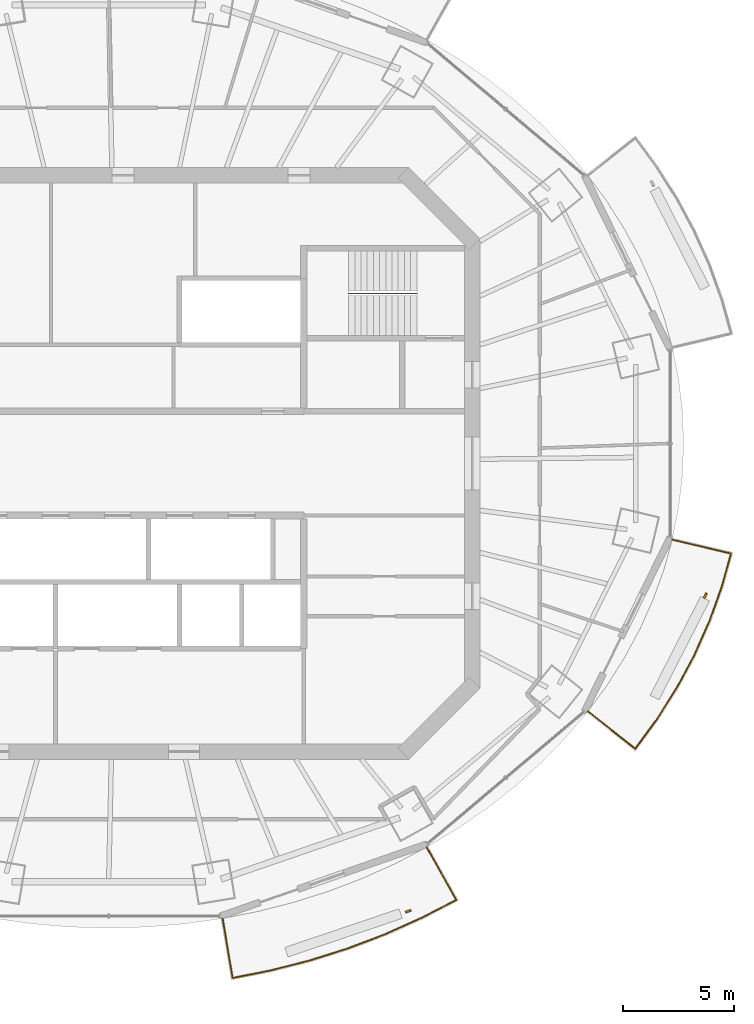
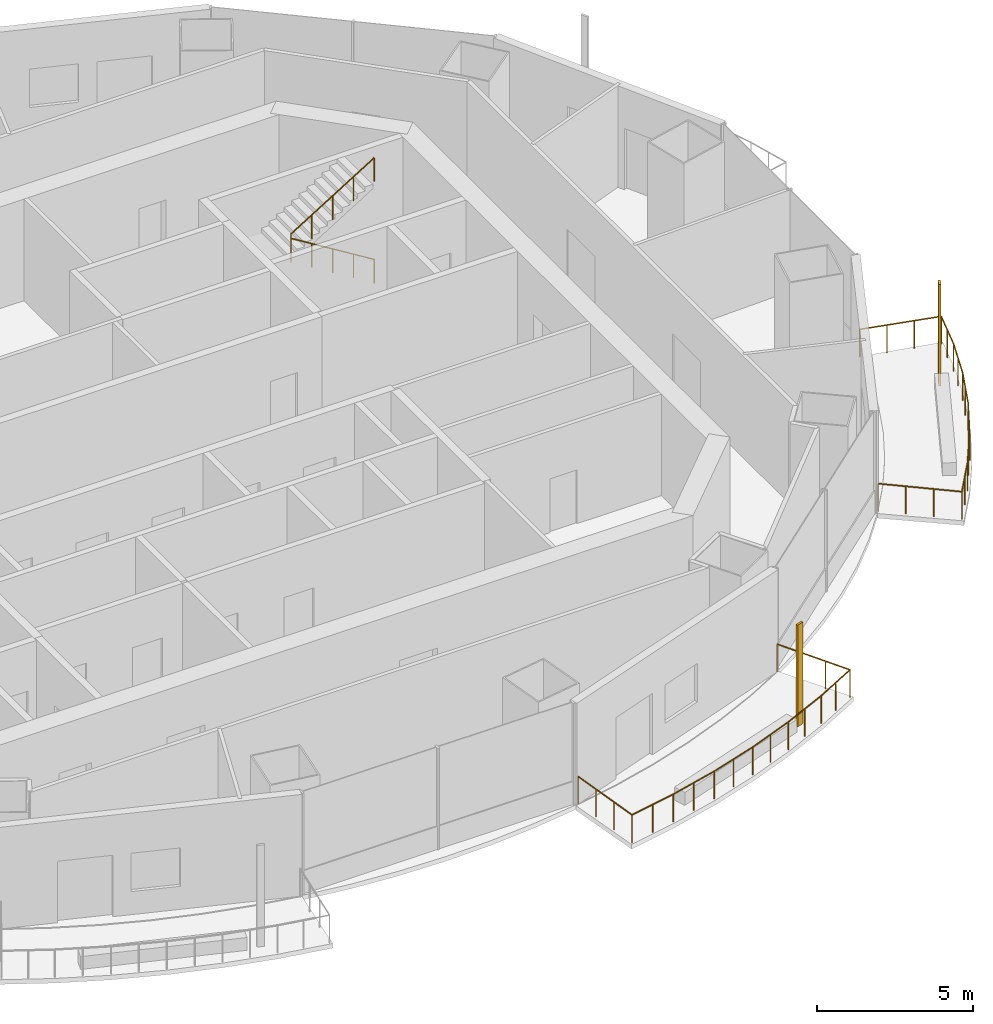
# One storey, part 13 of 16: 3 railings, 2 shading devices.
"""IFC4 building model written with IfcOpenShell, lengths in metres."""

from ifc_helpers import new_model, si_unit, direction, frame, origin, origin_2d, place, context, subcontext, project, spatial, rectangle, circle, extrude, material, material_profile, profile_set, type_object, element, save


model = new_model("IFC4")

# Units and contexts
model_context = context("Model", 3, precision=1e-05, world=origin(), true_north=direction((0.0, 1.0)))
body_context = subcontext(model_context, "Body", "Model", "MODEL_VIEW")
ifc_project = project(units=[si_unit("LENGTHUNIT", "METRE"), si_unit("AREAUNIT", "SQUARE_METRE"), si_unit("VOLUMEUNIT", "CUBIC_METRE"), si_unit("PLANEANGLEUNIT", "RADIAN"), si_unit("MASSUNIT", "GRAM", prefix="KILO")], contexts=[model_context])

# Site, building, storey
site_placement = place(None, origin())
site = spatial("IfcSite", under=ifc_project, at=site_placement, CompositionType="ELEMENT")
building_placement = place(site_placement, origin())
building = spatial("IfcBuilding", under=site, at=building_placement, Name="Marenthal Gate Tower", CompositionType="ELEMENT")
storey_placement = place(building_placement, frame((0.0, 0.0, 375.800048828125)))
storey = spatial("IfcBuildingStorey", under=building, at=storey_placement, Name="L85", CompositionType="ELEMENT", Elevation=375.800048828125)

# Railings
ifc_material_1 = material(Name="Stainless steel", Category="steel")
railing_type_1 = type_object("IfcRailingType", Name="Balcony guard 1100", PredefinedType="GUARDRAIL", material=ifc_material_1)
railing_1_placement = place(storey_placement, frame((13.94287109375, -17.3193359375, 0.0)))
element("IfcRailing", 1, at=railing_1_placement, inside=storey, type_object=railing_type_1, Name="Balcony guard L85 bay 13", PredefinedType="GUARDRAIL", context=body_context, shape_type="SweptSolid", body=[
    extrude(circle(Radius=0.02392578125, at=origin_2d()), frame((0.0, 0.0, 1.076171875), z_axis=(0.491021790399, -0.871022934714, -0.014718986223), x_axis=(0.871117302978, 0.491074988624, 0.0)), (0.0, 0.0, 1.0), 2.72021484375),
    extrude(circle(Radius=0.02392578125, at=origin_2d()), frame((1.335693359375, -2.369384765625, 1.0361328125), z_axis=(-0.886322623965, -0.463068252257, 0.0), x_axis=(0.463068252257, -0.886322623965, 0.0)), (0.0, 0.0, 1.0), 1.7109375),
    extrude(circle(Radius=0.02392578125, at=origin_2d()), frame((-0.1806640625, -3.16162109375, 1.0361328125), z_axis=(-0.911738959801, -0.410770092851, 0.0), x_axis=(0.410770092851, -0.911738959801, 0.0)), (0.0, 0.0, 1.0), 1.802734375),
    extrude(circle(Radius=0.02392578125, at=origin_2d()), frame((-1.82421875, -3.902099609375, 1.0361328125), z_axis=(-0.934175957833, -0.356812667665, 0.0), x_axis=(0.356812667665, -0.934175957833, 0.0)), (0.0, 0.0, 1.0), 1.813232421875),
    extrude(circle(Radius=0.02392578125, at=origin_2d()), frame((-3.51806640625, -4.549072265625, 1.0361328125), z_axis=(-0.953191090515, -0.302368558158, 0.0), x_axis=(0.302368558158, -0.953191090515, 0.0)), (0.0, 0.0, 1.0), 1.822265625),
    extrude(circle(Radius=0.02392578125, at=origin_2d()), frame((-5.255126953125, -5.10009765625, 1.0361328125), z_axis=(-0.968818339515, -0.247772123168, 0.0), x_axis=(0.247772123168, -0.968818339515, 0.0)), (0.0, 0.0, 1.0), 1.830810546875),
    extrude(circle(Radius=0.02392578125, at=origin_2d()), frame((-7.02880859375, -5.5537109375, 1.0361328125), z_axis=(-0.980989908715, -0.194058751412, 0.0), x_axis=(0.194058751412, -0.980989908715, 0.0)), (0.0, 0.0, 1.0), 1.757568359375),
    extrude(circle(Radius=0.02392578125, at=origin_2d()), frame((-8.7529296875, -5.894775390625, 1.0361328125), z_axis=(-0.165414456926, 0.986114290962, 0.01471946334), x_axis=(-0.986221135368, -0.165432379401, 0.0)), (0.0, 0.0, 1.0), 2.72021484375),
    extrude(circle(Radius=0.02099609375, at=origin_2d()), origin(), (0.0, 0.0, 1.0), 1.052001953125),
    extrude(circle(Radius=0.02099609375, at=origin_2d()), frame((0.4453125, -0.789794921875, -0.013427734375)), (0.0, 0.0, 1.0), 1.052001953125),
    extrude(circle(Radius=0.02099609375, at=origin_2d()), frame((0.890380859375, -1.57958984375, -0.026611328125)), (0.0, 0.0, 1.0), 1.052001953125),
    extrude(circle(Radius=0.02099609375, at=origin_2d()), frame((1.335693359375, -2.369384765625, -0.0400390625)), (0.0, 0.0, 1.0), 1.052001953125),
    extrude(circle(Radius=0.02099609375, at=origin_2d()), frame((0.57763671875, -2.765625, -0.0400390625)), (0.0, 0.0, 1.0), 1.052001953125),
    extrude(circle(Radius=0.02099609375, at=origin_2d()), frame((-0.1806640625, -3.16162109375, -0.0400390625)), (0.0, 0.0, 1.0), 1.052001953125),
    extrude(circle(Radius=0.02099609375, at=origin_2d()), frame((-1.00244140625, -3.53173828125, -0.0400390625)), (0.0, 0.0, 1.0), 1.052001953125),
    extrude(circle(Radius=0.02099609375, at=origin_2d()), frame((-1.82421875, -3.902099609375, -0.0400390625)), (0.0, 0.0, 1.0), 1.052001953125),
    extrude(circle(Radius=0.02099609375, at=origin_2d()), frame((-2.671142578125, -4.2255859375, -0.0400390625)), (0.0, 0.0, 1.0), 1.052001953125),
    extrude(circle(Radius=0.02099609375, at=origin_2d()), frame((-3.51806640625, -4.549072265625, -0.0400390625)), (0.0, 0.0, 1.0), 1.052001953125),
    extrude(circle(Radius=0.02099609375, at=origin_2d()), frame((-4.38671875, -4.82470703125, -0.0400390625)), (0.0, 0.0, 1.0), 1.052001953125),
    extrude(circle(Radius=0.02099609375, at=origin_2d()), frame((-5.255126953125, -5.10009765625, -0.0400390625)), (0.0, 0.0, 1.0), 1.052001953125),
    extrude(circle(Radius=0.02099609375, at=origin_2d()), frame((-6.14208984375, -5.326904296875, -0.0400390625)), (0.0, 0.0, 1.0), 1.052001953125),
    extrude(circle(Radius=0.02099609375, at=origin_2d()), frame((-7.02880859375, -5.5537109375, -0.0400390625)), (0.0, 0.0, 1.0), 1.052001953125),
    extrude(circle(Radius=0.02099609375, at=origin_2d()), frame((-7.890869140625, -5.72412109375, -0.0400390625)), (0.0, 0.0, 1.0), 1.052001953125),
    extrude(circle(Radius=0.02099609375, at=origin_2d()), frame((-8.7529296875, -5.894775390625, -0.0400390625)), (0.0, 0.0, 1.0), 1.052001953125),
    extrude(circle(Radius=0.02099609375, at=origin_2d()), frame((-8.90283203125, -5.000732421875, -0.026611328125)), (0.0, 0.0, 1.0), 1.052001953125),
    extrude(circle(Radius=0.02099609375, at=origin_2d()), frame((-9.052978515625, -4.1064453125, -0.013427734375)), (0.0, 0.0, 1.0), 1.052001953125),
    extrude(circle(Radius=0.02099609375, at=origin_2d()), frame((-9.202880859375, -3.21240234375, 0.0)), (0.0, 0.0, 1.0), 1.052001953125),
])
railing_2_placement = place(storey_placement, frame((25.025146484375, -3.443359375, 0.0)))
element("IfcRailing", 2, at=railing_2_placement, inside=storey, type_object=railing_type_1, Name="Balcony guard L85 bay 15", PredefinedType="GUARDRAIL", context=body_context, shape_type="SweptSolid", body=[
    extrude(circle(Radius=0.02392578125, at=origin_2d()), frame((0.0, 0.0, 1.076171875), z_axis=(0.973202156383, -0.229479704341, -0.014718291557), x_axis=(0.229504564257, 0.973307584983, 0.0)), (0.0, 0.0, 1.0), 2.720458984375),
    extrude(circle(Radius=0.02392578125, at=origin_2d()), frame((2.6474609375, -0.624267578125, 1.0361328125), z_axis=(-0.268460599739, -0.963290665577, 0.0), x_axis=(0.963290665577, -0.268460599739, 0.0)), (0.0, 0.0, 1.0), 1.572265625),
    extrude(circle(Radius=0.02392578125, at=origin_2d()), frame((2.225341796875, -2.138916015625, 1.0361328125), z_axis=(-0.338563156163, -0.940943669562, 0.0), x_axis=(0.940943669562, -0.338563156163, 0.0)), (0.0, 0.0, 1.0), 1.6591796875),
    extrude(circle(Radius=0.02392578125, at=origin_2d()), frame((1.66357421875, -3.7001953125, 1.0361328125), z_axis=(-0.407659561492, -0.913133989031, 0.0), x_axis=(0.913133989031, -0.407659561492, 0.0)), (0.0, 0.0, 1.0), 1.667236328125),
    extrude(circle(Radius=0.02392578125, at=origin_2d()), frame((0.98388671875, -5.22265625, 1.0361328125), z_axis=(-0.473457232822, -0.880816807679, 0.0), x_axis=(0.880816807679, -0.473457232822, 0.0)), (0.0, 0.0, 1.0), 1.677001953125),
    extrude(circle(Radius=0.02392578125, at=origin_2d()), frame((0.18994140625, -6.69970703125, 1.0361328125), z_axis=(-0.535461509908, -0.844559631646, 0.0), x_axis=(0.844559631646, -0.535461509908, 0.0)), (0.0, 0.0, 1.0), 1.68798828125),
    extrude(circle(Radius=0.02392578125, at=origin_2d()), frame((-0.7138671875, -8.125244140625, 1.0361328125), z_axis=(-0.592278211016, -0.805733529621, 0.0), x_axis=(0.805733529621, -0.592278211016, 0.0)), (0.0, 0.0, 1.0), 1.61962890625),
    extrude(circle(Radius=0.02392578125, at=origin_2d()), frame((-1.673095703125, -9.43017578125, 1.0361328125), z_axis=(-0.783848051765, 0.620778220066, 0.014718465822), x_axis=(-0.62084547159, -0.783932969332, 0.0)), (0.0, 0.0, 1.0), 2.72021484375),
    extrude(circle(Radius=0.02099609375, at=origin_2d()), origin(), (0.0, 0.0, 1.0), 1.052001953125),
    extrude(circle(Radius=0.02099609375, at=origin_2d()), frame((0.882568359375, -0.2080078125, -0.013427734375)), (0.0, 0.0, 1.0), 1.052001953125),
    extrude(circle(Radius=0.02099609375, at=origin_2d()), frame((1.764892578125, -0.416259765625, -0.026611328125)), (0.0, 0.0, 1.0), 1.052001953125),
    extrude(circle(Radius=0.02099609375, at=origin_2d()), frame((2.6474609375, -0.624267578125, -0.0400390625)), (0.0, 0.0, 1.0), 1.052001953125),
    extrude(circle(Radius=0.02099609375, at=origin_2d()), frame((2.4365234375, -1.381591796875, -0.0400390625)), (0.0, 0.0, 1.0), 1.052001953125),
    extrude(circle(Radius=0.02099609375, at=origin_2d()), frame((2.225341796875, -2.138916015625, -0.0400390625)), (0.0, 0.0, 1.0), 1.052001953125),
    extrude(circle(Radius=0.02099609375, at=origin_2d()), frame((1.9443359375, -2.91943359375, -0.0400390625)), (0.0, 0.0, 1.0), 1.052001953125),
    extrude(circle(Radius=0.02099609375, at=origin_2d()), frame((1.66357421875, -3.7001953125, -0.0400390625)), (0.0, 0.0, 1.0), 1.052001953125),
    extrude(circle(Radius=0.02099609375, at=origin_2d()), frame((1.32373046875, -4.46142578125, -0.0400390625)), (0.0, 0.0, 1.0), 1.052001953125),
    extrude(circle(Radius=0.02099609375, at=origin_2d()), frame((0.98388671875, -5.22265625, -0.0400390625)), (0.0, 0.0, 1.0), 1.052001953125),
    extrude(circle(Radius=0.02099609375, at=origin_2d()), frame((0.5869140625, -5.961181640625, -0.0400390625)), (0.0, 0.0, 1.0), 1.052001953125),
    extrude(circle(Radius=0.02099609375, at=origin_2d()), frame((0.18994140625, -6.69970703125, -0.0400390625)), (0.0, 0.0, 1.0), 1.052001953125),
    extrude(circle(Radius=0.02099609375, at=origin_2d()), frame((-0.261962890625, -7.41259765625, -0.0400390625)), (0.0, 0.0, 1.0), 1.052001953125),
    extrude(circle(Radius=0.02099609375, at=origin_2d()), frame((-0.7138671875, -8.125244140625, -0.0400390625)), (0.0, 0.0, 1.0), 1.052001953125),
    extrude(circle(Radius=0.02099609375, at=origin_2d()), frame((-1.193359375, -8.77783203125, -0.0400390625)), (0.0, 0.0, 1.0), 1.052001953125),
    extrude(circle(Radius=0.02099609375, at=origin_2d()), frame((-1.673095703125, -9.43017578125, -0.0400390625)), (0.0, 0.0, 1.0), 1.052001953125),
    extrude(circle(Radius=0.02099609375, at=origin_2d()), frame((-2.3837890625, -8.8671875, -0.026611328125)), (0.0, 0.0, 1.0), 1.052001953125),
    extrude(circle(Radius=0.02099609375, at=origin_2d()), frame((-3.0947265625, -8.304443359375, -0.013427734375)), (0.0, 0.0, 1.0), 1.052001953125),
    extrude(circle(Radius=0.02099609375, at=origin_2d()), frame((-3.805419921875, -7.741455078125, 0.0)), (0.0, 0.0, 1.0), 1.052001953125),
])
ifc_material_2 = material(Name="Stainless steel", Category="steel")
railing_type_2 = type_object("IfcRailingType", Name="Stair handrail", PredefinedType="HANDRAIL", material=ifc_material_2)
railing_3_placement = place(storey_placement, frame((13.5, 7.675048828125, 0.1728515625)))
element("IfcRailing", 3, at=railing_3_placement, inside=storey, type_object=railing_type_2, Name="Handrail ST3", PredefinedType="HANDRAIL", context=body_context, shape_type="SweptSolid", body=[
    extrude(circle(Radius=0.0224609375, at=origin_2d()), frame((0.0, 0.0, 0.927490234375), z_axis=(-0.850835241893, 0.0, 0.525432575268), x_axis=(0.0, -1.0, 0.0)), (0.0, 0.0, 1.0), 3.6201171875),
    extrude(circle(Radius=0.0224609375, at=origin_2d()), frame((-3.080078125, 0.0, 2.82958984375), z_axis=(0.0, 0.0, 1.0), x_axis=(1.0, 0.0, 0.0)), (0.0, 0.0, 1.0), 0.1728515625),
    extrude(circle(Radius=0.0224609375, at=origin_2d()), frame((-3.080078125, 0.0, 3.00244140625), z_axis=(0.850835241893, 0.0, 0.525432575268), x_axis=(0.0, 1.0, 0.0)), (0.0, 0.0, 1.0), 3.6201171875),
    extrude(circle(Radius=0.02001953125, at=origin_2d()), origin(), (0.0, 0.0, 1.0), 0.905029296875),
    extrude(circle(Radius=0.02001953125, at=origin_2d()), frame((-0.77001953125, 0.0, 0.4755859375)), (0.0, 0.0, 1.0), 0.905029296875),
    extrude(circle(Radius=0.02001953125, at=origin_2d()), frame((-1.5400390625, 0.0, 0.951171875)), (0.0, 0.0, 1.0), 0.905029296875),
    extrude(circle(Radius=0.02001953125, at=origin_2d()), frame((-2.31005859375, 0.0, 1.426513671875)), (0.0, 0.0, 1.0), 0.905029296875),
    extrude(circle(Radius=0.02001953125, at=origin_2d()), frame((-3.080078125, 0.0, 1.902099609375)), (0.0, 0.0, 1.0), 0.905029296875),
    extrude(circle(Radius=0.02001953125, at=origin_2d()), frame((-3.080078125, 0.0, 2.074951171875)), (0.0, 0.0, 1.0), 0.905029296875),
    extrude(circle(Radius=0.02001953125, at=origin_2d()), frame((-2.31005859375, 0.0, 2.550537109375)), (0.0, 0.0, 1.0), 0.905029296875),
    extrude(circle(Radius=0.02001953125, at=origin_2d()), frame((-1.5400390625, 0.0, 3.02587890625)), (0.0, 0.0, 1.0), 0.905029296875),
    extrude(circle(Radius=0.02001953125, at=origin_2d()), frame((-0.77001953125, 0.0, 3.50146484375)), (0.0, 0.0, 1.0), 0.905029296875),
    extrude(circle(Radius=0.02001953125, at=origin_2d()), frame((0.0, 0.0, 3.97705078125)), (0.0, 0.0, 1.0), 0.905029296875),
])

# Shading devices
ifc_material_3 = material(Name="Terracotta", Category="masonry")
ifc_material_profile = material_profile(ifc_material_3, rectangle(XDim=0.25, YDim=0.080078125, at=origin_2d()), Name="Terracotta baguette 250x80")
ifc_profile_set = profile_set([ifc_material_profile], Name="Terracotta")
shading_device_type = type_object("IfcShadingDeviceType", Name="Terracotta BAGUETTE SCREEN 250x80", PredefinedType="USERDEFINED", material=ifc_profile_set)
for number, where, z_axis, x_axis, name in (
    (4, (13.11328125, -20.204833984375, -0.0400390625), (0.0, 0.0, 1.0), (0.944082187386, 0.329710211338, 0.0), "Terracotta BAGUETTE L85 bay 13R"),
    (5, (26.5126953125, -5.966796875, -0.0400390625), (0.0, 0.0, 1.0), (0.44093893362, 0.897537106096, 0.0), "Terracotta BAGUETTE L85 bay 15R"),
):
    element("IfcShadingDevice", number, at=place(storey_placement, frame(where, z_axis=z_axis, x_axis=x_axis)), inside=storey, type_object=shading_device_type, Name=name, ObjectType="BAGUETTE SCREEN", PredefinedType="USERDEFINED", context=body_context, shape_type="SweptSolid", body=[
        extrude(rectangle(XDim=0.25, YDim=0.080078125, at=origin_2d()), origin(), (0.0, 0.0, 1.0), 3.969970703125),
    ])

save(model, "model.ifc")
